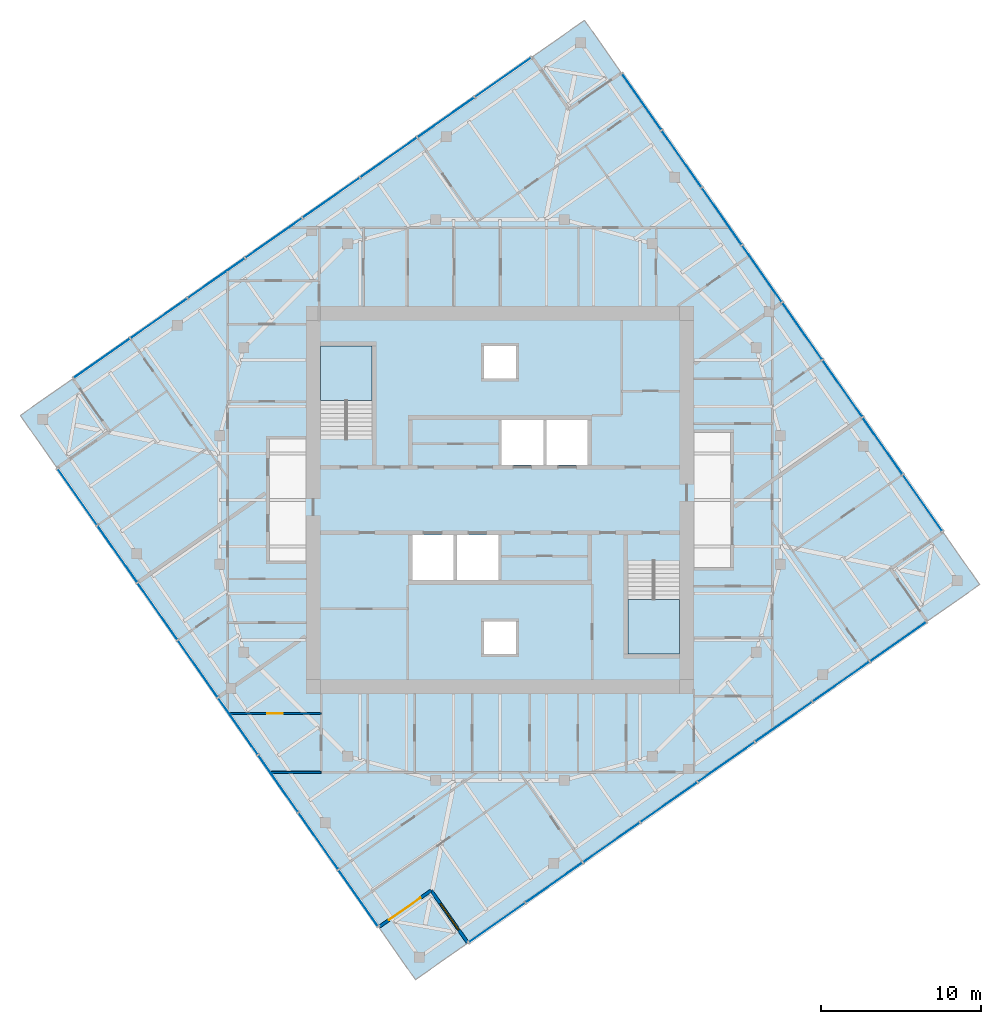
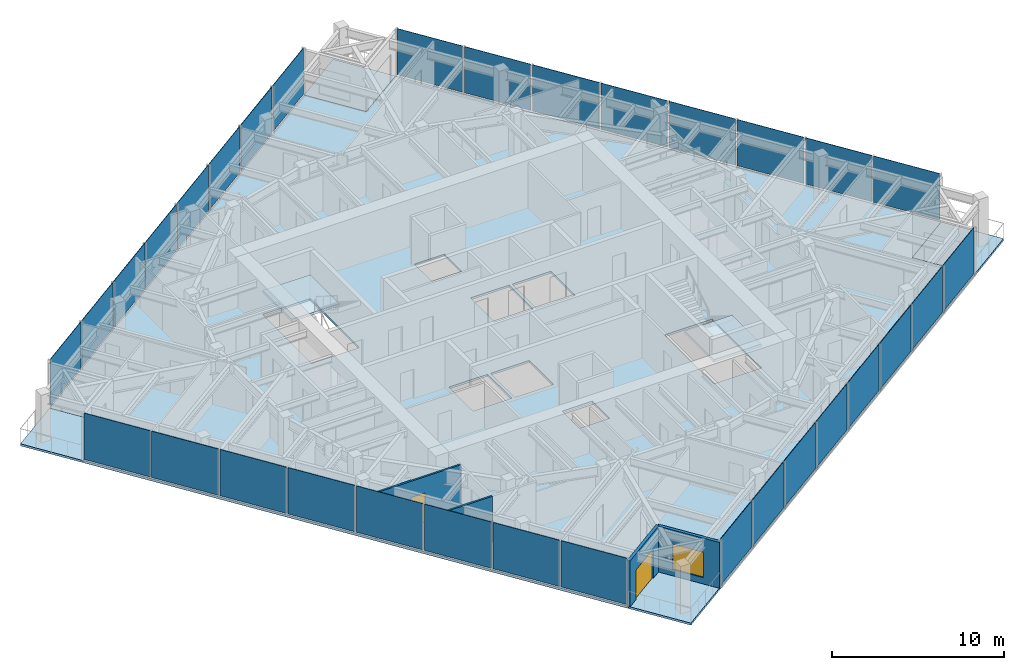
# One storey, part 6 of 12: 32 plates, 7 slabs, 4 walls, 2 doors, 1 window, 3 openings, 6 elements without a shape of their own.
"""IFC4 building model written with IfcOpenShell, lengths in metres."""

from ifc_helpers import new_model, si_unit, direction, frame, frame_2d, origin, origin_2d, place, context, subcontext, project, spatial, polyline, rectangle, outline, extrude, material, layer, layer_set, type_object, element, fill, aggregate, save


model = new_model("IFC4")

# Units and contexts
model_context = context("Model", 3, precision=1e-05, world=origin(), true_north=direction((0.0, 1.0)))
body_context = subcontext(model_context, "Body", "Model", "MODEL_VIEW")
ifc_project = project(units=[si_unit("LENGTHUNIT", "METRE"), si_unit("AREAUNIT", "SQUARE_METRE"), si_unit("VOLUMEUNIT", "CUBIC_METRE"), si_unit("PLANEANGLEUNIT", "RADIAN"), si_unit("MASSUNIT", "GRAM", prefix="KILO")], contexts=[model_context])

# Site, building, storey
site_placement = place(None, origin())
site = spatial("IfcSite", under=ifc_project, at=site_placement, CompositionType="ELEMENT")
building_placement = place(site_placement, origin())
building = spatial("IfcBuilding", under=site, at=building_placement, Name="Torsade Residences", CompositionType="ELEMENT")
storey_placement = place(building_placement, frame((0.0, 0.0, 243.800048828125)))
storey = spatial("IfcBuildingStorey", under=building, at=storey_placement, Name="L67", CompositionType="ELEMENT", Elevation=243.800048828125)

# Slab
ifc_material_1 = material(Name="Concrete 40 MPa", Category="concrete")
ifc_layer_1 = layer(ifc_material_1, 0.14990234375)
ifc_layer_set_1 = layer_set([ifc_layer_1], Name="Concrete 40 MPa")
slab_type_1 = type_object("IfcSlabType", Name="COMPOSITE FLOOR SLAB 150", PredefinedType="FLOOR", material=ifc_layer_set_1)
slab_1_placement = place(storey_placement, frame((0.0, 0.0, -0.150146484375)))
element("IfcSlab", 1, at=slab_1_placement, inside=storey, type_object=slab_type_1, Name="Floor slab L67", PredefinedType="FLOOR", context=body_context, shape_type="SweptSolid", body=[
    extrude(outline(polyline([(37.996826171875, 2.3505859375), (66.6669921875, 22.42578125), (64.372802734375, 25.702392578125), (67.6494140625, 27.996826171875), (47.57421875, 56.6669921875), (44.297607421875, 54.372802734375), (42.003173828125, 57.6494140625), (13.3330078125, 37.57421875), (15.627197265625, 34.297607421875), (12.3505859375, 32.003173828125), (32.42578125, 3.3330078125), (35.702392578125, 5.627197265625), (37.996826171875, 2.3505859375)]), holes=[polyline([(51.199951171875, 26.1201171875), (48.0, 26.1201171875), (48.0, 20.39990234375), (51.199951171875, 20.39990234375), (51.199951171875, 26.1201171875)]), polyline([(45.5, 35.0), (42.89990234375, 35.0), (42.89990234375, 32.199951171875), (45.5, 32.199951171875), (45.5, 35.0)]), polyline([(42.699951171875, 35.0), (40.10009765625, 35.0), (40.10009765625, 32.199951171875), (42.699951171875, 32.199951171875), (42.699951171875, 35.0)]), polyline([(41.0, 22.39990234375), (39.0, 22.39990234375), (39.0, 20.39990234375), (41.0, 20.39990234375), (41.0, 22.39990234375)]), polyline([(41.0, 39.60009765625), (39.0, 39.60009765625), (39.0, 37.60009765625), (41.0, 37.60009765625), (41.0, 39.60009765625)]), polyline([(39.89990234375, 27.800048828125), (37.300048828125, 27.800048828125), (37.300048828125, 25.0), (39.89990234375, 25.0), (39.89990234375, 27.800048828125)]), polyline([(37.10009765625, 27.800048828125), (34.5, 27.800048828125), (34.5, 25.0), (37.10009765625, 25.0), (37.10009765625, 27.800048828125)]), polyline([(32.0, 39.60009765625), (28.800048828125, 39.60009765625), (28.800048828125, 33.8798828125), (32.0, 33.8798828125), (32.0, 39.60009765625)])]), origin(), (0.0, 0.0, 1.0), 0.150146484375),
])

# Curtain wall, plates
ifc_material_2 = material(Name="Aluminium and glass", Category="aluminium")
curtain_wall_type = type_object("IfcCurtainWallType", Name="FRITTED GLASS CURTAIN WALL HIGH ZONE", PredefinedType="NOTDEFINED", material=ifc_material_2)
curtain_wall_1_placement = place(storey_placement, origin())
curtain_wall_1 = element("IfcCurtainWall", 2, at=curtain_wall_1_placement, inside=storey, type_object=curtain_wall_type, Name="Curtain wall L67 face 1", PredefinedType="NOTDEFINED")
ifc_material_3 = material(Name="Laminated glass", Category="glass")
ifc_layer_2 = layer(ifc_material_3, 0.031982421875)
ifc_layer_set_2 = layer_set([ifc_layer_2], Name="Laminated glass")
plate_type_1 = type_object("IfcPlateType", Name="FRITTED GLASS PANEL", PredefinedType="CURTAIN_PANEL", material=ifc_layer_set_2)
plate_1_placement = place(storey_placement, frame((39.80908203125, 3.61962890625, 0.1201171875), z_axis=(0.0, 0.0, 1.0), x_axis=(0.819152029353, 0.573576457682, 0.0)))
plate_1 = element("IfcPlate", 3, at=plate_1_placement, type_object=plate_type_1, Name="Panel 1", PredefinedType="CURTAIN_PANEL", context=body_context, shape_type="SweptSolid", body=[
    extrude(rectangle(XDim=4.22509765625, YDim=0.031982421875, at=origin_2d()), origin(), (0.0, 0.0, 1.0), 3.280029296875),
])
plate_2_placement = place(storey_placement, frame((46.956298828125, 8.6240234375, 0.1201171875), z_axis=(0.0, 0.0, 1.0), x_axis=(0.819152029353, 0.573576457682, 0.0)))
plate_2 = element("IfcPlate", 4, at=plate_2_placement, type_object=plate_type_1, Name="Panel 3", PredefinedType="CURTAIN_PANEL", context=body_context, shape_type="SweptSolid", body=[
    extrude(rectangle(XDim=4.27490234375, YDim=0.031982421875, at=origin_2d()), origin(), (0.0, 0.0, 1.0), 3.280029296875),
])
plate_3_placement = place(storey_placement, frame((50.5400390625, 11.133544921875, 0.1201171875), z_axis=(0.0, 0.0, 1.0), x_axis=(0.819152029353, 0.573576457682, 0.0)))
plate_3 = element("IfcPlate", 5, at=plate_3_placement, type_object=plate_type_1, Name="Panel 4", PredefinedType="CURTAIN_PANEL", context=body_context, shape_type="SweptSolid", body=[
    extrude(rectangle(XDim=4.27490234375, YDim=0.031982421875, at=origin_2d()), origin(), (0.0, 0.0, 1.0), 3.280029296875),
])
plate_4_placement = place(storey_placement, frame((54.123779296875, 13.642822265625, 0.1201171875), z_axis=(0.0, 0.0, 1.0), x_axis=(0.819152029353, 0.573576457682, 0.0)))
plate_4 = element("IfcPlate", 6, at=plate_4_placement, type_object=plate_type_1, Name="Panel 5", PredefinedType="CURTAIN_PANEL", context=body_context, shape_type="SweptSolid", body=[
    extrude(rectangle(XDim=4.27490234375, YDim=0.031982421875, at=origin_2d()), origin(), (0.0, 0.0, 1.0), 3.280029296875),
])
plate_5_placement = place(storey_placement, frame((61.291259765625, 18.66162109375, 0.1201171875), z_axis=(0.0, 0.0, 1.0), x_axis=(0.819152029353, 0.573576457682, 0.0)))
plate_5 = element("IfcPlate", 7, at=plate_5_placement, type_object=plate_type_1, Name="Panel 7", PredefinedType="CURTAIN_PANEL", context=body_context, shape_type="SweptSolid", body=[
    extrude(rectangle(XDim=4.27490234375, YDim=0.031982421875, at=origin_2d()), origin(), (0.0, 0.0, 1.0), 3.280029296875),
])
plate_6_placement = place(storey_placement, frame((64.854736328125, 21.15673828125, 0.1201171875), z_axis=(0.0, 0.0, 1.0), x_axis=(0.819152029353, 0.573576457682, 0.0)))
plate_6 = element("IfcPlate", 8, at=plate_6_placement, type_object=plate_type_1, Name="Panel 8", PredefinedType="CURTAIN_PANEL", context=body_context, shape_type="SweptSolid", body=[
    extrude(rectangle(XDim=4.22509765625, YDim=0.031982421875, at=origin_2d()), origin(), (0.0, 0.0, 1.0), 3.280029296875),
])

curtain_wall_2_placement = place(storey_placement, origin())
curtain_wall_2 = element("IfcCurtainWall", 9, at=curtain_wall_2_placement, inside=storey, type_object=curtain_wall_type, Name="Curtain wall L67 face 4", PredefinedType="NOTDEFINED")
plate_7_placement = place(storey_placement, frame((66.38037109375, 29.80908203125, 0.1201171875), z_axis=(0.0, 0.0, 1.0), x_axis=(-0.573576457682, 0.819152029353, 0.0)))
plate_7 = element("IfcPlate", 10, at=plate_7_placement, type_object=plate_type_1, Name="Panel 1", PredefinedType="CURTAIN_PANEL", context=body_context, shape_type="SweptSolid", body=[
    extrude(rectangle(XDim=4.22509765625, YDim=0.031982421875, at=origin_2d()), origin(), (0.0, 0.0, 1.0), 3.280029296875),
])
plate_8_placement = place(storey_placement, frame((61.3759765625, 36.956298828125, 0.1201171875), z_axis=(0.0, 0.0, 1.0), x_axis=(-0.573576457682, 0.819152029353, 0.0)))
plate_8 = element("IfcPlate", 11, at=plate_8_placement, type_object=plate_type_1, Name="Panel 3", PredefinedType="CURTAIN_PANEL", context=body_context, shape_type="SweptSolid", body=[
    extrude(rectangle(XDim=4.27490234375, YDim=0.031982421875, at=origin_2d()), origin(), (0.0, 0.0, 1.0), 3.280029296875),
])
plate_9_placement = place(storey_placement, frame((58.866455078125, 40.5400390625, 0.1201171875), z_axis=(0.0, 0.0, 1.0), x_axis=(-0.573576457682, 0.819152029353, 0.0)))
plate_9 = element("IfcPlate", 12, at=plate_9_placement, type_object=plate_type_1, Name="Panel 4", PredefinedType="CURTAIN_PANEL", context=body_context, shape_type="SweptSolid", body=[
    extrude(rectangle(XDim=4.27490234375, YDim=0.031982421875, at=origin_2d()), origin(), (0.0, 0.0, 1.0), 3.280029296875),
])
plate_10_placement = place(storey_placement, frame((56.357177734375, 44.123779296875, 0.1201171875), z_axis=(0.0, 0.0, 1.0), x_axis=(-0.573576457682, 0.819152029353, 0.0)))
plate_10 = element("IfcPlate", 13, at=plate_10_placement, type_object=plate_type_1, Name="Panel 5", PredefinedType="CURTAIN_PANEL", context=body_context, shape_type="SweptSolid", body=[
    extrude(rectangle(XDim=4.27490234375, YDim=0.031982421875, at=origin_2d()), origin(), (0.0, 0.0, 1.0), 3.280029296875),
])
plate_11_placement = place(storey_placement, frame((51.33837890625, 51.291259765625, 0.1201171875), z_axis=(0.0, 0.0, 1.0), x_axis=(-0.573576457682, 0.819152029353, 0.0)))
plate_11 = element("IfcPlate", 14, at=plate_11_placement, type_object=plate_type_1, Name="Panel 7", PredefinedType="CURTAIN_PANEL", context=body_context, shape_type="SweptSolid", body=[
    extrude(rectangle(XDim=4.27490234375, YDim=0.031982421875, at=origin_2d()), origin(), (0.0, 0.0, 1.0), 3.280029296875),
])
plate_12_placement = place(storey_placement, frame((48.84326171875, 54.854736328125, 0.1201171875), z_axis=(0.0, 0.0, 1.0), x_axis=(-0.573576457682, 0.819152029353, 0.0)))
plate_12 = element("IfcPlate", 15, at=plate_12_placement, type_object=plate_type_1, Name="Panel 8", PredefinedType="CURTAIN_PANEL", context=body_context, shape_type="SweptSolid", body=[
    extrude(rectangle(XDim=4.22509765625, YDim=0.031982421875, at=origin_2d()), origin(), (0.0, 0.0, 1.0), 3.280029296875),
])

curtain_wall_3_placement = place(storey_placement, origin())
curtain_wall_3 = element("IfcCurtainWall", 16, at=curtain_wall_3_placement, inside=storey, type_object=curtain_wall_type, Name="Curtain wall L67 face 7", PredefinedType="NOTDEFINED")
plate_13_placement = place(storey_placement, frame((40.19091796875, 56.38037109375, 0.1201171875), z_axis=(0.0, 0.0, 1.0), x_axis=(-0.819152029353, -0.573576457682, 0.0)))
plate_13 = element("IfcPlate", 17, at=plate_13_placement, type_object=plate_type_1, Name="Panel 1", PredefinedType="CURTAIN_PANEL", context=body_context, shape_type="SweptSolid", body=[
    extrude(rectangle(XDim=4.22509765625, YDim=0.031982421875, at=origin_2d()), origin(), (0.0, 0.0, 1.0), 3.280029296875),
])
plate_14_placement = place(storey_placement, frame((33.043701171875, 51.3759765625, 0.1201171875), z_axis=(0.0, 0.0, 1.0), x_axis=(-0.819152029353, -0.573576457682, 0.0)))
plate_14 = element("IfcPlate", 18, at=plate_14_placement, type_object=plate_type_1, Name="Panel 3", PredefinedType="CURTAIN_PANEL", context=body_context, shape_type="SweptSolid", body=[
    extrude(rectangle(XDim=4.27490234375, YDim=0.031982421875, at=origin_2d()), origin(), (0.0, 0.0, 1.0), 3.280029296875),
])
plate_15_placement = place(storey_placement, frame((29.4599609375, 48.866455078125, 0.1201171875), z_axis=(0.0, 0.0, 1.0), x_axis=(-0.819152029353, -0.573576457682, 0.0)))
plate_15 = element("IfcPlate", 19, at=plate_15_placement, type_object=plate_type_1, Name="Panel 4", PredefinedType="CURTAIN_PANEL", context=body_context, shape_type="SweptSolid", body=[
    extrude(rectangle(XDim=4.27490234375, YDim=0.031982421875, at=origin_2d()), origin(), (0.0, 0.0, 1.0), 3.280029296875),
])
plate_16_placement = place(storey_placement, frame((25.876220703125, 46.357177734375, 0.1201171875), z_axis=(0.0, 0.0, 1.0), x_axis=(-0.819152029353, -0.573576457682, 0.0)))
plate_16 = element("IfcPlate", 20, at=plate_16_placement, type_object=plate_type_1, Name="Panel 5", PredefinedType="CURTAIN_PANEL", context=body_context, shape_type="SweptSolid", body=[
    extrude(rectangle(XDim=4.27490234375, YDim=0.031982421875, at=origin_2d()), origin(), (0.0, 0.0, 1.0), 3.280029296875),
])
plate_17_placement = place(storey_placement, frame((18.708740234375, 41.33837890625, 0.1201171875), z_axis=(0.0, 0.0, 1.0), x_axis=(-0.819152029353, -0.573576457682, 0.0)))
plate_17 = element("IfcPlate", 21, at=plate_17_placement, type_object=plate_type_1, Name="Panel 7", PredefinedType="CURTAIN_PANEL", context=body_context, shape_type="SweptSolid", body=[
    extrude(rectangle(XDim=4.27490234375, YDim=0.031982421875, at=origin_2d()), origin(), (0.0, 0.0, 1.0), 3.280029296875),
])
plate_18_placement = place(storey_placement, frame((15.145263671875, 38.84326171875, 0.1201171875), z_axis=(0.0, 0.0, 1.0), x_axis=(-0.819152029353, -0.573576457682, 0.0)))
plate_18 = element("IfcPlate", 22, at=plate_18_placement, type_object=plate_type_1, Name="Panel 8", PredefinedType="CURTAIN_PANEL", context=body_context, shape_type="SweptSolid", body=[
    extrude(rectangle(XDim=4.22509765625, YDim=0.031982421875, at=origin_2d()), origin(), (0.0, 0.0, 1.0), 3.280029296875),
])

curtain_wall_4_placement = place(storey_placement, origin())
curtain_wall_4 = element("IfcCurtainWall", 23, at=curtain_wall_4_placement, inside=storey, type_object=curtain_wall_type, Name="Curtain wall L67 face 10", PredefinedType="NOTDEFINED")
plate_19_placement = place(storey_placement, frame((13.61962890625, 30.19091796875, 0.1201171875), z_axis=(0.0, 0.0, 1.0), x_axis=(0.573576457682, -0.819152029353, 0.0)))
plate_19 = element("IfcPlate", 24, at=plate_19_placement, type_object=plate_type_1, Name="Panel 1", PredefinedType="CURTAIN_PANEL", context=body_context, shape_type="SweptSolid", body=[
    extrude(rectangle(XDim=4.22509765625, YDim=0.031982421875, at=origin_2d()), origin(), (0.0, 0.0, 1.0), 3.280029296875),
])
plate_20_placement = place(storey_placement, frame((18.6240234375, 23.043701171875, 0.1201171875), z_axis=(0.0, 0.0, 1.0), x_axis=(0.573576457682, -0.819152029353, 0.0)))
plate_20 = element("IfcPlate", 25, at=plate_20_placement, type_object=plate_type_1, Name="Panel 3", PredefinedType="CURTAIN_PANEL", context=body_context, shape_type="SweptSolid", body=[
    extrude(rectangle(XDim=4.27490234375, YDim=0.031982421875, at=origin_2d()), origin(), (0.0, 0.0, 1.0), 3.280029296875),
])
plate_21_placement = place(storey_placement, frame((21.133544921875, 19.4599609375, 0.1201171875), z_axis=(0.0, 0.0, 1.0), x_axis=(0.573576457682, -0.819152029353, 0.0)))
plate_21 = element("IfcPlate", 26, at=plate_21_placement, type_object=plate_type_1, Name="Panel 4", PredefinedType="CURTAIN_PANEL", context=body_context, shape_type="SweptSolid", body=[
    extrude(rectangle(XDim=4.27490234375, YDim=0.031982421875, at=origin_2d()), origin(), (0.0, 0.0, 1.0), 3.280029296875),
])
plate_22_placement = place(storey_placement, frame((23.642822265625, 15.876220703125, 0.1201171875), z_axis=(0.0, 0.0, 1.0), x_axis=(0.573576457682, -0.819152029353, 0.0)))
plate_22 = element("IfcPlate", 27, at=plate_22_placement, type_object=plate_type_1, Name="Panel 5", PredefinedType="CURTAIN_PANEL", context=body_context, shape_type="SweptSolid", body=[
    extrude(rectangle(XDim=4.27490234375, YDim=0.031982421875, at=origin_2d()), origin(), (0.0, 0.0, 1.0), 3.280029296875),
])
plate_23_placement = place(storey_placement, frame((28.66162109375, 8.708740234375, 0.1201171875), z_axis=(0.0, 0.0, 1.0), x_axis=(0.573576457682, -0.819152029353, 0.0)))
plate_23 = element("IfcPlate", 28, at=plate_23_placement, type_object=plate_type_1, Name="Panel 7", PredefinedType="CURTAIN_PANEL", context=body_context, shape_type="SweptSolid", body=[
    extrude(rectangle(XDim=4.27490234375, YDim=0.031982421875, at=origin_2d()), origin(), (0.0, 0.0, 1.0), 3.280029296875),
])
plate_24_placement = place(storey_placement, frame((31.15673828125, 5.145263671875, 0.1201171875), z_axis=(0.0, 0.0, 1.0), x_axis=(0.573576457682, -0.819152029353, 0.0)))
plate_24 = element("IfcPlate", 29, at=plate_24_placement, type_object=plate_type_1, Name="Panel 8", PredefinedType="CURTAIN_PANEL", context=body_context, shape_type="SweptSolid", body=[
    extrude(rectangle(XDim=4.22509765625, YDim=0.031982421875, at=origin_2d()), origin(), (0.0, 0.0, 1.0), 3.280029296875),
])

# Plate
ifc_material_4 = material(Name="Laminated glass", Category="glass")
ifc_layer_3 = layer(ifc_material_4, 0.0400390625)
ifc_layer_set_3 = layer_set([ifc_layer_3], Name="Laminated glass")
plate_type_2 = type_object("IfcPlateType", Name="OPERABLE VENT PANEL", PredefinedType="CURTAIN_PANEL", material=ifc_layer_set_3)
plate_25_placement = place(storey_placement, frame((43.372314453125, 6.11474609375, 0.1201171875), z_axis=(0.0, 0.0, 1.0), x_axis=(0.819152029353, 0.573576457682, 0.0)))
plate_25 = element("IfcPlate", 30, at=plate_25_placement, type_object=plate_type_2, Name="Panel 2", PredefinedType="CURTAIN_PANEL", context=body_context, shape_type="SweptSolid", body=[
    extrude(rectangle(XDim=4.27490234375, YDim=0.0400390625, at=origin_2d()), origin(), (0.0, 0.0, 1.0), 3.280029296875),
])

plate_26_placement = place(storey_placement, frame((57.70751953125, 16.15234375, 0.1201171875), z_axis=(0.0, 0.0, 1.0), x_axis=(0.819152029353, 0.573576457682, 0.0)))
plate_26 = element("IfcPlate", 31, at=plate_26_placement, type_object=plate_type_2, Name="Panel 6", PredefinedType="CURTAIN_PANEL", context=body_context, shape_type="SweptSolid", body=[
    extrude(rectangle(XDim=4.27490234375, YDim=0.0400390625, at=origin_2d()), origin(), (0.0, 0.0, 1.0), 3.280029296875),
])

aggregate(curtain_wall_1, [plate_1, plate_25, plate_2, plate_3, plate_4, plate_26, plate_5, plate_6])

plate_27_placement = place(storey_placement, frame((63.88525390625, 33.372314453125, 0.1201171875), z_axis=(0.0, 0.0, 1.0), x_axis=(-0.573576457682, 0.819152029353, 0.0)))
plate_27 = element("IfcPlate", 32, at=plate_27_placement, type_object=plate_type_2, Name="Panel 2", PredefinedType="CURTAIN_PANEL", context=body_context, shape_type="SweptSolid", body=[
    extrude(rectangle(XDim=4.27490234375, YDim=0.0400390625, at=origin_2d()), origin(), (0.0, 0.0, 1.0), 3.280029296875),
])

plate_28_placement = place(storey_placement, frame((53.84765625, 47.70751953125, 0.1201171875), z_axis=(0.0, 0.0, 1.0), x_axis=(-0.573576457682, 0.819152029353, 0.0)))
plate_28 = element("IfcPlate", 33, at=plate_28_placement, type_object=plate_type_2, Name="Panel 6", PredefinedType="CURTAIN_PANEL", context=body_context, shape_type="SweptSolid", body=[
    extrude(rectangle(XDim=4.27490234375, YDim=0.0400390625, at=origin_2d()), origin(), (0.0, 0.0, 1.0), 3.280029296875),
])

aggregate(curtain_wall_2, [plate_7, plate_27, plate_8, plate_9, plate_10, plate_28, plate_11, plate_12])

plate_29_placement = place(storey_placement, frame((36.627685546875, 53.88525390625, 0.1201171875), z_axis=(0.0, 0.0, 1.0), x_axis=(-0.819152029353, -0.573576457682, 0.0)))
plate_29 = element("IfcPlate", 34, at=plate_29_placement, type_object=plate_type_2, Name="Panel 2", PredefinedType="CURTAIN_PANEL", context=body_context, shape_type="SweptSolid", body=[
    extrude(rectangle(XDim=4.27490234375, YDim=0.0400390625, at=origin_2d()), origin(), (0.0, 0.0, 1.0), 3.280029296875),
])

plate_30_placement = place(storey_placement, frame((22.29248046875, 43.84765625, 0.1201171875), z_axis=(0.0, 0.0, 1.0), x_axis=(-0.819152029353, -0.573576457682, 0.0)))
plate_30 = element("IfcPlate", 35, at=plate_30_placement, type_object=plate_type_2, Name="Panel 6", PredefinedType="CURTAIN_PANEL", context=body_context, shape_type="SweptSolid", body=[
    extrude(rectangle(XDim=4.27490234375, YDim=0.0400390625, at=origin_2d()), origin(), (0.0, 0.0, 1.0), 3.280029296875),
])

aggregate(curtain_wall_3, [plate_13, plate_29, plate_14, plate_15, plate_16, plate_30, plate_17, plate_18])

plate_31_placement = place(storey_placement, frame((16.11474609375, 26.627685546875, 0.1201171875), z_axis=(0.0, 0.0, 1.0), x_axis=(0.573576457682, -0.819152029353, 0.0)))
plate_31 = element("IfcPlate", 36, at=plate_31_placement, type_object=plate_type_2, Name="Panel 2", PredefinedType="CURTAIN_PANEL", context=body_context, shape_type="SweptSolid", body=[
    extrude(rectangle(XDim=4.27490234375, YDim=0.0400390625, at=origin_2d()), origin(), (0.0, 0.0, 1.0), 3.280029296875),
])

plate_32_placement = place(storey_placement, frame((26.15234375, 12.29248046875, 0.1201171875), z_axis=(0.0, 0.0, 1.0), x_axis=(0.573576457682, -0.819152029353, 0.0)))
plate_32 = element("IfcPlate", 37, at=plate_32_placement, type_object=plate_type_2, Name="Panel 6", PredefinedType="CURTAIN_PANEL", context=body_context, shape_type="SweptSolid", body=[
    extrude(rectangle(XDim=4.27490234375, YDim=0.0400390625, at=origin_2d()), origin(), (0.0, 0.0, 1.0), 3.280029296875),
])

aggregate(curtain_wall_4, [plate_19, plate_31, plate_20, plate_21, plate_22, plate_32, plate_23, plate_24])

# Stair, slab
ifc_material_5 = material(Name="Precast concrete 40 MPa", Category="concrete")
stair_type = type_object("IfcStairType", Name="HALF-TURN FIRE STAIR 1500x3400", PredefinedType="HALF_TURN_STAIR", material=ifc_material_5)
stair_1_placement = place(storey_placement, origin())
stair_1 = element("IfcStair", 38, at=stair_1_placement, inside=storey, type_object=stair_type, Name="Stair ST1 L67", PredefinedType="HALF_TURN_STAIR")
ifc_material_6 = material(Name="Precast concrete 40 MPa", Category="concrete")
ifc_layer_4 = layer(ifc_material_6, 0.179931640625)
ifc_layer_set_4 = layer_set([ifc_layer_4], Name="Precast concrete 40 MPa")
slab_type_2 = type_object("IfcSlabType", Name="PRECAST STAIR LANDING 180", PredefinedType="LANDING", material=ifc_layer_set_4)
slab_2_placement = place(storey_placement, frame((0.0, 0.0, 1.52001953125)))
slab_2 = element("IfcSlab", 39, at=slab_2_placement, type_object=slab_type_2, Name="ST1 landing 1", PredefinedType="LANDING", context=body_context, shape_type="SweptSolid", body=[
    extrude(outline(polyline([(28.800048828125, 36.2099609375), (32.0, 36.2099609375), (32.0, 39.60009765625), (28.800048828125, 39.60009765625), (28.800048828125, 36.2099609375)])), origin(), (0.0, 0.0, 1.0), 0.179931640625),
])
aggregate(stair_1, [slab_2])

stair_2_placement = place(storey_placement, origin())
stair_2 = element("IfcStair", 40, at=stair_2_placement, inside=storey, type_object=stair_type, Name="Stair ST2 L67", PredefinedType="HALF_TURN_STAIR")
slab_3_placement = place(storey_placement, frame((0.0, 0.0, 1.52001953125)))
slab_3 = element("IfcSlab", 41, at=slab_3_placement, type_object=slab_type_2, Name="ST2 landing 1", PredefinedType="LANDING", context=body_context, shape_type="SweptSolid", body=[
    extrude(outline(polyline([(48.0, 20.39990234375), (51.199951171875, 20.39990234375), (51.199951171875, 23.7900390625), (48.0, 23.7900390625), (48.0, 20.39990234375)])), origin(), (0.0, 0.0, 1.0), 0.179931640625),
])
aggregate(stair_2, [slab_3])

# Slabs
ifc_material_7 = material(Name="Concrete 40 MPa", Category="concrete")
ifc_layer_5 = layer(ifc_material_7, 0.14990234375)
ifc_layer_set_5 = layer_set([ifc_layer_5], Name="Concrete 40 MPa")
slab_type_3 = type_object("IfcSlabType", Name="TERRACE SLAB 150", PredefinedType="FLOOR", material=ifc_layer_set_5)
slab_4_placement = place(storey_placement, frame((0.0, 0.0, -0.150146484375)))
element("IfcSlab", 42, at=slab_4_placement, inside=storey, type_object=slab_type_3, Name="Corner terrace slab SE L67", PredefinedType="FLOOR", context=body_context, shape_type="SweptSolid", body=[
    extrude(outline(polyline([(66.6669921875, 22.42578125), (69.943603515625, 24.72021484375), (67.6494140625, 27.996826171875), (64.372802734375, 25.702392578125), (66.6669921875, 22.42578125)])), origin(), (0.0, 0.0, 1.0), 0.150146484375),
])
slab_5_placement = place(storey_placement, frame((0.0, 0.0, -0.150146484375)))
element("IfcSlab", 43, at=slab_5_placement, inside=storey, type_object=slab_type_3, Name="Corner terrace slab NE L67", PredefinedType="FLOOR", context=body_context, shape_type="SweptSolid", body=[
    extrude(outline(polyline([(44.297607421875, 54.372802734375), (47.57421875, 56.6669921875), (45.27978515625, 59.943603515625), (42.003173828125, 57.6494140625), (44.297607421875, 54.372802734375)])), origin(), (0.0, 0.0, 1.0), 0.150146484375),
])
slab_6_placement = place(storey_placement, frame((0.0, 0.0, -0.150146484375)))
element("IfcSlab", 44, at=slab_6_placement, inside=storey, type_object=slab_type_3, Name="Corner terrace slab NW L67", PredefinedType="FLOOR", context=body_context, shape_type="SweptSolid", body=[
    extrude(outline(polyline([(12.3505859375, 32.003173828125), (15.627197265625, 34.297607421875), (13.3330078125, 37.57421875), (10.056396484375, 35.27978515625), (12.3505859375, 32.003173828125)])), origin(), (0.0, 0.0, 1.0), 0.150146484375),
])
slab_7_placement = place(storey_placement, frame((0.0, 0.0, -0.150146484375)))
element("IfcSlab", 45, at=slab_7_placement, inside=storey, type_object=slab_type_3, Name="Corner terrace slab SW L67", PredefinedType="FLOOR", context=body_context, shape_type="SweptSolid", body=[
    extrude(outline(polyline([(34.72021484375, 0.056396484375), (37.996826171875, 2.3505859375), (35.702392578125, 5.627197265625), (32.42578125, 3.3330078125), (34.72021484375, 0.056396484375)])), origin(), (0.0, 0.0, 1.0), 0.150146484375),
])

# Wall, opening, door
ifc_material_8 = material(Name="Plasterboard on steel stud", Category="steel")
ifc_layer_6 = layer(ifc_material_8, 0.1201171875)
ifc_layer_set_6 = layer_set([ifc_layer_6], Name="Plasterboard on steel stud")
wall_type_1 = type_object("IfcWallType", Name="PARTITION 120", PredefinedType="PARTITIONING", material=ifc_layer_set_6)
wall_1_placement = place(storey_placement, frame((28.83740234375, 16.67333984375, 0.0), z_axis=(0.0, 0.0, 1.0), x_axis=(-1.0, 0.0, 0.0)))
wall_1 = element("IfcWall", 46, at=wall_1_placement, inside=storey, type_object=wall_type_1, Name="Partition L67", PredefinedType="PARTITIONING", context=body_context, shape_type="SweptSolid", body=[
    extrude(rectangle(XDim=5.703857421875, YDim=0.1201171875, at=frame_2d((2.85205078125, 0.0))), origin(), (0.0, 0.0, 1.0), 3.25),
])
opening_1_placement = place(wall_1_placement, frame((2.396484375, 0.0, 0.0)))
opening_1 = element("IfcOpeningElement", 47, at=opening_1_placement, cuts=wall_1, Name="Opening D05", PredefinedType="OPENING", context=body_context, shape_type="SweptSolid", body=[
    extrude(rectangle(XDim=0.9599609375, YDim=2.10009765625, at=frame_2d((0.47998046875, 1.050048828125))), frame((0.0, 0.070068359375, 0.0), z_axis=(0.0, -1.0, 0.0), x_axis=(1.0, 0.0, 0.0)), (0.0, 0.0, 1.0), 0.14013671875),
])
ifc_material_9 = material(Name="Hollow-core timber door in a steel cavity frame", Category="steel")
door_type_1 = type_object("IfcDoorType", Name="BATHROOM CAVITY SLIDING DOOR 960", OperationType="SLIDING_TO_LEFT", PredefinedType="DOOR", material=ifc_material_9)
door_1_placement = place(opening_1_placement, origin())
door_1 = element("IfcDoor", 48, at=door_1_placement, inside=storey, type_object=door_type_1, Name="Door Dressing room to Bathroom", OperationType="SLIDING_TO_LEFT", OverallHeight=2.10009765625, OverallWidth=0.9599609375, PredefinedType="DOOR", context=body_context, shape_type="SweptSolid", body=[
    extrude(rectangle(XDim=0.9599609375, YDim=2.10009765625, at=frame_2d((0.47998046875, 1.050048828125))), frame((0.0, 0.02490234375, 0.0), z_axis=(0.0, -1.0, 0.0), x_axis=(1.0, 0.0, 0.0)), (0.0, 0.0, 1.0), 0.050048828125),
])
fill(opening_1, door_1)

# Wall
wall_2_placement = place(storey_placement, frame((28.83740234375, 13.0, 0.0), z_axis=(0.0, 0.0, 1.0), x_axis=(-1.0, 0.0, 0.0)))
element("IfcWall", 49, at=wall_2_placement, inside=storey, type_object=wall_type_1, Name="Partition L67", PredefinedType="PARTITIONING", context=body_context, shape_type="SweptSolid", body=[
    extrude(rectangle(XDim=3.131591796875, YDim=0.1201171875, at=frame_2d((1.56591796875, 0.0))), origin(), (0.0, 0.0, 1.0), 3.25),
])

# Wall, opening, door
ifc_material_10 = material(Name="Stone-faced precast concrete 40 MPa panel", Category="masonry")
ifc_layer_7 = layer(ifc_material_10, 0.199951171875)
ifc_layer_set_7 = layer_set([ifc_layer_7], Name="Stone-faced precast concrete 40 MPa panel")
wall_type_2 = type_object("IfcWallType", Name="TERRACE WALL 200", PredefinedType="SOLIDWALL", material=ifc_layer_set_7)
wall_3_placement = place(storey_placement, frame((32.42578125, 3.3330078125, 0.0), z_axis=(0.0, 0.0, 1.0), x_axis=(0.819165963305, 0.573556557423, 0.0)))
wall_3 = element("IfcWall", 50, at=wall_3_placement, inside=storey, type_object=wall_type_2, Name="Terrace wall L67 11", PredefinedType="SOLIDWALL", context=body_context, shape_type="SweptSolid", body=[
    extrude(rectangle(XDim=4.0, YDim=0.199951171875, at=frame_2d((2.0, 0.0))), origin(), (0.0, 0.0, 1.0), 3.25),
])
opening_2_placement = place(wall_3_placement, frame((0.800048828125, 0.0, 0.0)))
opening_2 = element("IfcOpeningElement", 51, at=opening_2_placement, cuts=wall_3, Name="Opening D10A", PredefinedType="OPENING", context=body_context, shape_type="SweptSolid", body=[
    extrude(rectangle(XDim=2.39990234375, YDim=2.10009765625, at=frame_2d((1.199951171875, 1.050048828125))), frame((0.0, 0.10986328125, 0.0), z_axis=(0.0, -1.0, 0.0), x_axis=(1.0, 0.0, 0.0)), (0.0, 0.0, 1.0), 0.219970703125),
])
ifc_material_11 = material(Name="Aluminium-framed glass door", Category="aluminium")
door_type_2 = type_object("IfcDoorType", Name="TERRACE SLIDING DOOR 2400x2100", OperationType="SLIDING_TO_LEFT", PredefinedType="DOOR", material=ifc_material_11)
door_2_placement = place(opening_2_placement, origin())
door_2 = element("IfcDoor", 52, at=door_2_placement, inside=storey, type_object=door_type_2, Name="Terrace door L67 11", OperationType="SLIDING_TO_LEFT", OverallHeight=2.10009765625, OverallWidth=2.39990234375, PredefinedType="DOOR", context=body_context, shape_type="SweptSolid", body=[
    extrude(rectangle(XDim=2.39990234375, YDim=2.10009765625, at=frame_2d((1.199951171875, 1.050048828125))), frame((0.0, 0.02490234375, 0.0), z_axis=(0.0, -1.0, 0.0), x_axis=(1.0, 0.0, 0.0)), (0.0, 0.0, 1.0), 0.050048828125),
])
fill(opening_2, door_2)

# Wall, opening, window
wall_4_placement = place(storey_placement, frame((35.702392578125, 5.627197265625, 0.0), z_axis=(0.0, 0.0, 1.0), x_axis=(0.573597512525, -0.819137286189, 0.0)))
wall_4 = element("IfcWall", 53, at=wall_4_placement, inside=storey, type_object=wall_type_2, Name="Terrace wall L67 12", PredefinedType="SOLIDWALL", context=body_context, shape_type="SweptSolid", body=[
    extrude(rectangle(XDim=4.0, YDim=0.199951171875, at=frame_2d((2.0, 0.0))), origin(), (0.0, 0.0, 1.0), 3.25),
])
opening_3_placement = place(wall_4_placement, frame((1.0, 0.0, 0.449951171875)))
opening_3 = element("IfcOpeningElement", 54, at=opening_3_placement, cuts=wall_4, Name="Opening W1B", PredefinedType="OPENING", context=body_context, shape_type="SweptSolid", body=[
    extrude(rectangle(XDim=2.0, YDim=1.800048828125, at=frame_2d((1.0, 0.89990234375))), frame((0.0, 0.10986328125, 0.0), z_axis=(0.0, -1.0, 0.0), x_axis=(1.0, 0.0, 0.0)), (0.0, 0.0, 1.0), 0.219970703125),
])
ifc_material_12 = material(Name="Aluminium-framed glass window", Category="aluminium")
window_type = type_object("IfcWindowType", Name="TERRACE WINDOW 2000x1800", PartitioningType="SINGLE_PANEL", PredefinedType="WINDOW", material=ifc_material_12)
window_placement = place(opening_3_placement, origin())
window = element("IfcWindow", 55, at=window_placement, inside=storey, type_object=window_type, Name="Terrace window L67 12", OverallHeight=1.800048828125, OverallWidth=2.0, PartitioningType="SINGLE_PANEL", PredefinedType="WINDOW", context=body_context, shape_type="SweptSolid", body=[
    extrude(rectangle(XDim=2.0, YDim=1.800048828125, at=frame_2d((1.0, 0.89990234375))), frame((0.0, 0.030029296875, 0.0), z_axis=(0.0, -1.0, 0.0), x_axis=(1.0, 0.0, 0.0)), (0.0, 0.0, 1.0), 0.06005859375),
])
fill(opening_3, window)

save(model, "model.ifc")
